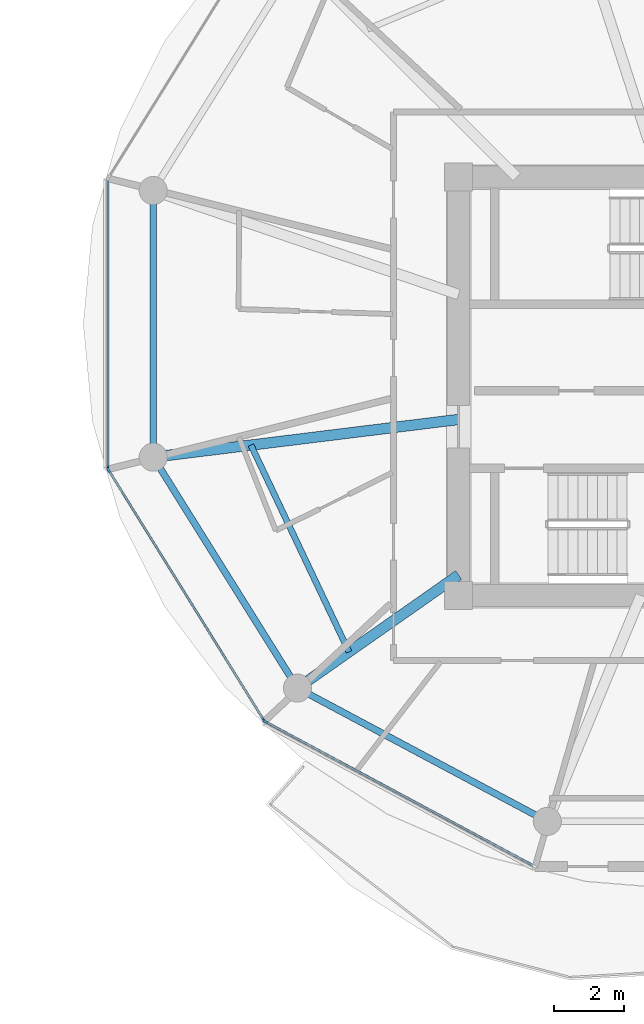
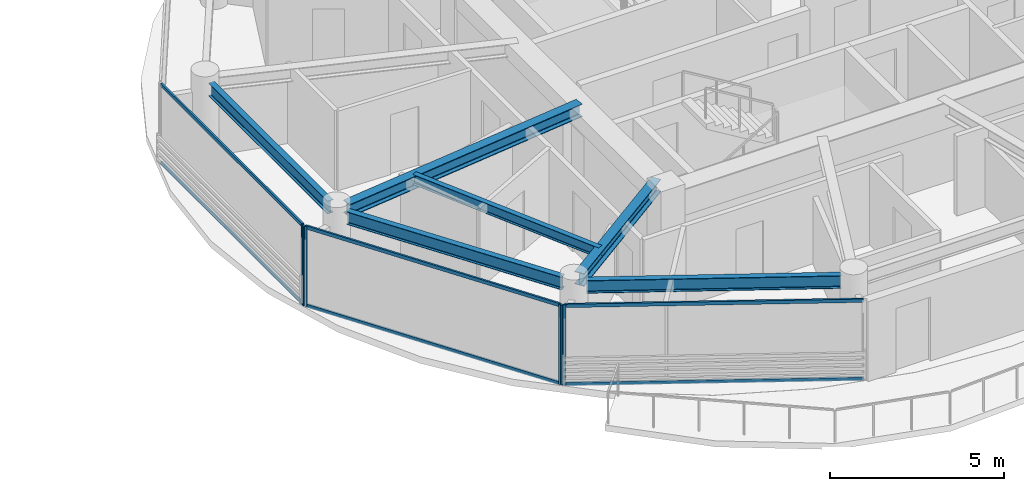
# One storey, part 6 of 22: 10 members, 6 beams, 3 elements without a shape of their own.
"""IFC4 building model written with IfcOpenShell, lengths in metres."""

import ifcopenshell
import ifcopenshell.guid

model = None  # the IFC model being written
_history = None  # IfcOwnerHistory: only IFC2X3 demands one
_inside = {}  # id of a spatial element -> (the spatial element, [elements in it])
_under = {}  # id of a project, library or spatial element -> (it, [spatial elements below it])
_declared = {}  # id of a project -> (the project, [libraries it declares])
_typed = {}  # id of a type object -> (the type object, [elements of that type])
_made_of = {}  # id of a material, layer set ... -> (it, [elements and type objects made of it])


def new_model(schema):
    """Start an empty IFC model of exactly this schema.

    Asked for "IFC4X3", IfcOpenShell would pick the latest addendum, in which some entities
    have other attributes; the version numbers below select the first issue.
    IFC2X3 requires an IfcOwnerHistory on every rooted entity: one is made here for all.
    """
    global model, _history
    if schema == "IFC4X3":
        model = ifcopenshell.file(schema_version=(4, 3, 0, 0))
    else:
        model = ifcopenshell.file(schema=schema)
    _inside.clear()
    _under.clear()
    _declared.clear()
    _typed.clear()
    _made_of.clear()
    _history = None
    if model.schema == "IFC2X3":
        org = make("IfcOrganization", Name="unknown")
        user = make(
            "IfcPersonAndOrganization",
            ThePerson=make("IfcPerson", FamilyName="unknown"),
            TheOrganization=org,
        )
        app = make(
            "IfcApplication",
            ApplicationDeveloper=org,
            Version="unknown",
            ApplicationFullName="unknown",
            ApplicationIdentifier="unknown",
        )
        _history = make(
            "IfcOwnerHistory",
            OwningUser=user,
            OwningApplication=app,
            ChangeAction="ADDED",
            CreationDate=0,
        )
    return model


def make(cls, **values):
    """One entity of the class cls with the attributes given. An attribute that is None is left unset."""
    return model.create_entity(
        cls, **{name: value for name, value in values.items() if value is not None}
    )


def rooted(cls, **values):
    """An entity with a GlobalId (a new one), such as an element, a storey or a relation."""
    return make(cls, GlobalId=ifcopenshell.guid.new(), OwnerHistory=_history, **values)


def si_unit(unit_type, name, prefix=None):
    """IfcSIUnit, for example si_unit("LENGTHUNIT", "METRE", prefix="MILLI")."""
    return make("IfcSIUnit", UnitType=unit_type, Prefix=prefix, Name=name)


def assignment(units):
    """IfcUnitAssignment: the units of a project."""
    return None if units is None else make("IfcUnitAssignment", Units=units)


def point(xyz):
    """IfcCartesianPoint."""
    return None if xyz is None else make("IfcCartesianPoint", Coordinates=xyz)


def direction(xyz):
    """IfcDirection."""
    return None if xyz is None else make("IfcDirection", DirectionRatios=xyz)


def frame(location, z_axis=None, x_axis=None):
    """IfcAxis2Placement3D, a coordinate frame: its origin and axes. An axis left out is left unset."""
    return make(
        "IfcAxis2Placement3D",
        Location=point(location),
        Axis=direction(z_axis),
        RefDirection=direction(x_axis),
    )


def frame_2d(location, x_axis=None):
    """IfcAxis2Placement2D, a coordinate frame in the plane: its origin and x axis."""
    return make(
        "IfcAxis2Placement2D", Location=point(location), RefDirection=direction(x_axis)
    )


def origin():
    """The frame at (0, 0, 0) with its axes left unset."""
    return frame((0.0, 0.0, 0.0))


def origin_2d():
    """The frame at (0, 0) in the plane with its x axis left unset."""
    return frame_2d((0.0, 0.0))


def place(relative_to, where):
    """IfcLocalPlacement: puts the frame where relative to a parent placement (None: the world)."""
    return make(
        "IfcLocalPlacement", PlacementRelTo=relative_to, RelativePlacement=where
    )


def context(
    kind, dimensions, precision=None, world=None, true_north=None, identifier=None
):
    """IfcGeometricRepresentationContext, for example the 3D "Model" context."""
    return make(
        "IfcGeometricRepresentationContext",
        ContextIdentifier=identifier,
        ContextType=kind,
        CoordinateSpaceDimension=dimensions,
        Precision=precision,
        WorldCoordinateSystem=world,
        TrueNorth=true_north,
    )


def subcontext(parent, identifier, kind, view, scale=None):
    """IfcGeometricRepresentationSubContext, for example "Body" below "Model"."""
    return make(
        "IfcGeometricRepresentationSubContext",
        ContextIdentifier=identifier,
        ContextType=kind,
        ParentContext=parent,
        TargetScale=scale,
        TargetView=view,
    )


def project(units=None, contexts=None):
    """IfcProject with its units and contexts."""
    return rooted(
        "IfcProject",
        Name="project",
        RepresentationContexts=contexts,
        UnitsInContext=assignment(units),
    )


def spatial(cls, under=None, at=None, **own):
    """A site, building, storey or space (cls), placed at a placement, below another one or the project."""
    s = rooted(cls, ObjectPlacement=at, **own)
    if under is not None:
        _under.setdefault(under.id(), (under, []))[1].append(s)
    return s


def profile(cls, at=None, kind="AREA", **sizes):
    """A parametric profile (cls). Its sizes go by their IFC names, for example OverallWidth=200.0."""
    return make(cls, ProfileType=kind, Position=at, **sizes)


def rectangle(**sizes):
    """IfcRectangleProfileDef."""
    return profile("IfcRectangleProfileDef", **sizes)


def i_section(**sizes):
    """IfcIShapeProfileDef."""
    return profile("IfcIShapeProfileDef", **sizes)


def extrude(swept, where, along, depth):
    """IfcExtrudedAreaSolid: the profile swept, set in the frame where, extruded along a direction by depth."""
    return make(
        "IfcExtrudedAreaSolid",
        SweptArea=swept,
        Position=where,
        ExtrudedDirection=direction(along),
        Depth=depth,
    )


def shape(context_of_items, identifier, shape_type, items):
    """IfcShapeRepresentation: the items that make up one representation, for example the "Body"."""
    return make(
        "IfcShapeRepresentation",
        ContextOfItems=context_of_items,
        RepresentationIdentifier=identifier,
        RepresentationType=shape_type,
        Items=items,
    )


def source(mapping_origin, context_of_items, identifier, shape_type, items):
    """IfcRepresentationMap: a shape defined once, which mapped items show again and again."""
    return make(
        "IfcRepresentationMap",
        MappingOrigin=mapping_origin,
        MappedRepresentation=shape(context_of_items, identifier, shape_type, items),
    )


def transform(
    local_origin,
    x_axis=None,
    y_axis=None,
    z_axis=None,
    scale=None,
    scale2=None,
    scale3=None,
    uniform=True,
):
    """IfcCartesianTransformationOperator3D, or its non-uniform kind. x_axis, y_axis, z_axis: its Axis1, 2, 3."""
    if uniform:
        return make(
            "IfcCartesianTransformationOperator3D",
            Axis1=direction(x_axis),
            Axis2=direction(y_axis),
            LocalOrigin=point(local_origin),
            Scale=scale,
            Axis3=direction(z_axis),
        )
    return make(
        "IfcCartesianTransformationOperator3DnonUniform",
        Axis1=direction(x_axis),
        Axis2=direction(y_axis),
        LocalOrigin=point(local_origin),
        Scale=scale,
        Axis3=direction(z_axis),
        Scale2=scale2,
        Scale3=scale3,
    )


def mapped(mapping_source, mapping_target):
    """IfcMappedItem: shows the shape of a source again, moved by a transform."""
    return make(
        "IfcMappedItem", MappingSource=mapping_source, MappingTarget=mapping_target
    )


def material(Name=None, Category=None):
    """IfcMaterial."""
    return make("IfcMaterial", Name=Name, Category=Category)


def layer(
    of_material, thickness, ventilated=None, Name=None, Category=None, Priority=None
):
    """IfcMaterialLayer: one layer of a wall or slab, of a material (None: an air gap)."""
    return make(
        "IfcMaterialLayer",
        Material=of_material,
        LayerThickness=thickness,
        IsVentilated=ventilated,
        Name=Name,
        Category=Category,
        Priority=Priority,
    )


def layer_set(layers, Name=None):
    """IfcMaterialLayerSet."""
    return make("IfcMaterialLayerSet", MaterialLayers=layers, LayerSetName=Name)


def material_profile(
    of_material, cross_section, Name=None, Category=None, Priority=None
):
    """IfcMaterialProfile: a cross section and its material."""
    return make(
        "IfcMaterialProfile",
        Name=Name,
        Material=of_material,
        Profile=cross_section,
        Priority=Priority,
        Category=Category,
    )


def profile_set(profiles, Name=None, composite=None):
    """IfcMaterialProfileSet."""
    return make(
        "IfcMaterialProfileSet",
        Name=Name,
        MaterialProfiles=profiles,
        CompositeProfile=composite,
    )


def made_of(thing, what):
    """Note that an element or type object is made of a material, layer set ...; save() writes the relation."""
    if what is not None:
        _made_of.setdefault(what.id(), (what, []))[1].append(thing)
    return thing


def type_object(cls, material=None, **own):
    """A type object (cls), such as IfcWallType, which elements share."""
    return made_of(rooted(cls, **own), material)


def type_shapes(of_type, sources):
    """Give a type object the sources (RepresentationMaps) that its elements show as mapped items."""
    of_type.RepresentationMaps = sources


def element(
    cls,
    number,
    at=None,
    inside=None,
    cuts=None,
    type_object=None,
    material=None,
    context=None,
    identifier="Body",
    shape_type=None,
    held_by="IfcProductDefinitionShape",
    body=None,
    shapes=None,
    **own,
):
    """One element of the class cls, such as IfcWall. Its Tag is "e" and its number.

    at: its placement. inside: the storey or other place that contains it. cuts: it is an
    opening in that element (IfcRelVoidsElement). A single representation is given by context,
    identifier, shape_type and body (its items); several are given by shapes. held_by: the class
    of the entity that holds the representations. save() writes the other relations.
    """
    e = rooted(cls, Tag="e%d" % number, ObjectPlacement=at, **own)
    if body is not None:
        shapes = [shape(context, identifier, shape_type, body)]
    if shapes is not None:
        e.Representation = make(held_by, Representations=shapes)
    if inside is not None:
        _inside.setdefault(inside.id(), (inside, []))[1].append(e)
    if cuts is not None:
        rooted(
            "IfcRelVoidsElement", RelatingBuildingElement=cuts, RelatedOpeningElement=e
        )
    if type_object is not None:
        _typed.setdefault(type_object.id(), (type_object, []))[1].append(e)
    return made_of(e, material)


def aggregate(whole, parts):
    """IfcRelAggregates: a whole, such as a stair, and the parts it consists of."""
    return rooted("IfcRelAggregates", RelatingObject=whole, RelatedObjects=parts)


def save(model, path):
    """Write the relations noted so far, then the file.

    IfcRelAggregates (storeys below a building ...), IfcRelContainedInSpatialStructure (elements
    in a storey), IfcRelDefinesByType, IfcRelAssociatesMaterial and IfcRelDeclares: one each for
    every whole, place, type object, material and project.
    """
    for whole, parts in _under.values():
        aggregate(whole, parts)
    for where, things in _inside.values():
        rooted(
            "IfcRelContainedInSpatialStructure",
            RelatedElements=things,
            RelatingStructure=where,
        )
    for kind, things in _typed.values():
        rooted("IfcRelDefinesByType", RelatedObjects=things, RelatingType=kind)
    for what, things in _made_of.values():
        rooted("IfcRelAssociatesMaterial", RelatedObjects=things, RelatingMaterial=what)
    for by, libraries in _declared.values():
        rooted("IfcRelDeclares", RelatingContext=by, RelatedDefinitions=libraries)
    model.write(path)


model = new_model("IFC4")

# Units and contexts
model_context = context("Model", 3, precision=1e-05, world=origin(), true_north=direction((0.0, 1.0)))
body_context = subcontext(model_context, "Body", "Model", "MODEL_VIEW")
ifc_project = project(units=[si_unit("LENGTHUNIT", "METRE"), si_unit("AREAUNIT", "SQUARE_METRE"), si_unit("VOLUMEUNIT", "CUBIC_METRE"), si_unit("PLANEANGLEUNIT", "RADIAN"), si_unit("MASSUNIT", "GRAM", prefix="KILO")], contexts=[model_context])

# Site, building, storey
site_placement = place(None, origin())
site = spatial("IfcSite", under=ifc_project, at=site_placement, CompositionType="ELEMENT")
building_placement = place(site_placement, origin())
building = spatial("IfcBuilding", under=site, at=building_placement, Name="Norrkilde Senior Care Towers", CompositionType="ELEMENT")
storey_placement = place(building_placement, frame((0.0, 0.0, 152.60009765625)))
storey = spatial("IfcBuildingStorey", under=building, at=storey_placement, Name="L47", CompositionType="ELEMENT", Elevation=152.60009765625)

# Beams
ifc_material_1 = material(Name="Steel S355", Category="steel")
ifc_material_profile_1 = material_profile(ifc_material_1, i_section(OverallWidth=0.18994140625, OverallDepth=0.449951171875, WebThickness=0.009521484375, FlangeThickness=0.0146484375, FilletRadius=0.02099609375, at=origin_2d()), Name="IPE 450")
ifc_profile_set_1 = profile_set([ifc_material_profile_1], Name="Steel S355")
beam_type_1 = type_object("IfcBeamType", Name="Perimeter Ring Spandrel Z3 IPE450", PredefinedType="SPANDREL", material=ifc_profile_set_1)
shared_shape_1 = source(origin(), body_context, "Body", "SweptSolid", [
    extrude(i_section(OverallWidth=0.18994140625, OverallDepth=0.449951171875, WebThickness=0.009521484375, FlangeThickness=0.0146484375, FilletRadius=0.02099609375, at=origin_2d()), origin(), (0.0, 0.0, 1.0), 6.86328125),
])
beam_1_placement = place(storey_placement, frame((11.6650390625, 5.20703125, 2.5849609375), z_axis=(0.0, -1.0, 0.0), x_axis=(1.0, 0.0, 0.0)))
element("IfcBeam", 1, at=beam_1_placement, inside=storey, type_object=beam_type_1, Name="L47 Drum E Perimeter Spandrel 06", PredefinedType="SPANDREL", context=body_context, shape_type="MappedRepresentation", body=[
    mapped(shared_shape_1, transform((0.0, 0.0, 0.0), x_axis=(1.0, 0.0, 0.0), y_axis=(0.0, 1.0, 0.0), z_axis=(0.0, 0.0, 1.0), scale=1.0)),
])
shared_shape_2 = source(origin(), body_context, "Body", "SweptSolid", [
    extrude(i_section(OverallWidth=0.18994140625, OverallDepth=0.449951171875, WebThickness=0.009521484375, FlangeThickness=0.0146484375, FilletRadius=0.02099609375, at=origin_2d()), origin(), (0.0, 0.0, 1.0), 7.023193359375),
])
beam_2_placement = place(storey_placement, frame((11.855712890625, -2.32177734375, 2.5849609375), z_axis=(0.529805197269, -0.848119362441, 0.0), x_axis=(0.848119362441, 0.529805197269, 0.0)))
element("IfcBeam", 2, at=beam_2_placement, inside=storey, type_object=beam_type_1, Name="L47 Drum E Perimeter Spandrel 07", PredefinedType="SPANDREL", context=body_context, shape_type="MappedRepresentation", body=[
    mapped(shared_shape_2, transform((0.0, 0.0, 0.0), x_axis=(1.0, 0.0, 0.0), y_axis=(0.0, 1.0, 0.0), z_axis=(0.0, 0.0, 1.0), scale=1.0)),
])
shared_shape_3 = source(origin(), body_context, "Body", "SweptSolid", [
    extrude(i_section(OverallWidth=0.18994140625, OverallDepth=0.449951171875, WebThickness=0.009521484375, FlangeThickness=0.0146484375, FilletRadius=0.02099609375, at=origin_2d()), origin(), (0.0, 0.0, 1.0), 7.333984375),
])
type_shapes(beam_type_1, [shared_shape_1, shared_shape_2, shared_shape_3])
beam_3_placement = place(storey_placement, frame((16.0849609375, -8.753173828125, 2.5849609375), z_axis=(0.882234038987, -0.470811109101, 0.0), x_axis=(0.470811109101, 0.882234038987, 0.0)))
element("IfcBeam", 3, at=beam_3_placement, inside=storey, type_object=beam_type_1, Name="L47 Drum E Perimeter Spandrel 08", PredefinedType="SPANDREL", context=body_context, shape_type="MappedRepresentation", body=[
    mapped(shared_shape_3, transform((0.0, 0.0, 0.0), x_axis=(1.0, 0.0, 0.0), y_axis=(0.0, 1.0, 0.0), z_axis=(0.0, 0.0, 1.0), scale=1.0)),
])
ifc_material_profile_2 = material_profile(ifc_material_1, i_section(OverallWidth=0.300048828125, OverallDepth=0.449951171875, WebThickness=0.013916015625, FlangeThickness=0.02587890625, FilletRadius=0.027099609375, at=origin_2d()), Name="HEB 450")
ifc_profile_set_2 = profile_set([ifc_material_profile_2], Name="Steel S355")
beam_type_2 = type_object("IfcBeamType", Name="Radial Floor Beam Z3 HEB450", PredefinedType="BEAM", material=ifc_profile_set_2)
shared_shape_4 = source(origin(), body_context, "Body", "SweptSolid", [
    extrude(i_section(OverallWidth=0.300048828125, OverallDepth=0.449951171875, WebThickness=0.013916015625, FlangeThickness=0.02587890625, FilletRadius=0.027099609375, at=origin_2d()), origin(), (0.0, 0.0, 1.0), 5.23828125),
])
beam_4_placement = place(storey_placement, frame((20.35009765625, -5.3681640625, 2.5849609375), z_axis=(-0.818592061291, -0.574375345215, 0.0), x_axis=(0.574375345215, -0.818592061291, 0.0)))
element("IfcBeam", 4, at=beam_4_placement, inside=storey, type_object=beam_type_2, Name="L47 Drum E Radial Floor Beam 08", PredefinedType="BEAM", context=body_context, shape_type="MappedRepresentation", body=[
    mapped(shared_shape_4, transform((0.0, 0.0, 0.0), x_axis=(1.0, 0.0, 0.0), y_axis=(0.0, 1.0, 0.0), z_axis=(0.0, 0.0, 1.0), scale=1.0)),
])
shared_shape_5 = source(origin(), body_context, "Body", "SweptSolid", [
    extrude(i_section(OverallWidth=0.300048828125, OverallDepth=0.449951171875, WebThickness=0.013916015625, FlangeThickness=0.02587890625, FilletRadius=0.027099609375, at=origin_2d()), origin(), (0.0, 0.0, 1.0), 8.390869140625),
])
type_shapes(beam_type_2, [shared_shape_4, shared_shape_5])
beam_5_placement = place(storey_placement, frame((20.35009765625, -0.9443359375, 2.5849609375), z_axis=(-0.99246916403, -0.122494728249, 0.0), x_axis=(0.122494728249, -0.99246916403, 0.0)))
element("IfcBeam", 5, at=beam_5_placement, inside=storey, type_object=beam_type_2, Name="L47 Drum E Radial Floor Beam 07", PredefinedType="BEAM", context=body_context, shape_type="MappedRepresentation", body=[
    mapped(shared_shape_5, transform((0.0, 0.0, 0.0), x_axis=(1.0, 0.0, 0.0), y_axis=(0.0, 1.0, 0.0), z_axis=(0.0, 0.0, 1.0), scale=1.0)),
])
ifc_material_profile_3 = material_profile(ifc_material_1, i_section(OverallWidth=0.169921875, OverallDepth=0.360107421875, WebThickness=0.008056640625, FlangeThickness=0.0126953125, FilletRadius=0.01806640625, at=origin_2d()), Name="IPE 360")
ifc_profile_set_3 = profile_set([ifc_material_profile_3], Name="Steel S355")
beam_type_3 = type_object("IfcBeamType", Name="Secondary Floor Joist IPE360", PredefinedType="JOIST", material=ifc_profile_set_3)
shared_shape_6 = source(origin(), body_context, "Body", "SweptSolid", [
    extrude(i_section(OverallWidth=0.169921875, OverallDepth=0.360107421875, WebThickness=0.008056640625, FlangeThickness=0.0126953125, FilletRadius=0.01806640625, at=origin_2d()), origin(), (0.0, 0.0, 1.0), 6.50927734375),
])
type_shapes(beam_type_3, [shared_shape_6])
beam_6_placement = place(storey_placement, frame((14.4443359375, -1.67333984375, 2.6298828125), z_axis=(0.428544169129, -0.90352083269, 0.0), x_axis=(0.90352083269, 0.428544169129, 0.0)))
element("IfcBeam", 6, at=beam_6_placement, inside=storey, type_object=beam_type_3, Name="L47 Drum E Secondary Floor Joist 3", PredefinedType="JOIST", context=body_context, shape_type="MappedRepresentation", body=[
    mapped(shared_shape_6, transform((0.0, 0.0, 0.0), x_axis=(1.0, 0.0, 0.0), y_axis=(0.0, 1.0, 0.0), z_axis=(0.0, 0.0, 1.0), scale=1.0)),
])

# Curtain wall, members
ifc_material_2 = material(Name="Triple Low-E Insulated Glazing", Category="glass")
ifc_layer = layer(ifc_material_2, 0.18994140625)
ifc_layer_set = layer_set([ifc_layer], Name="Triple Low-E Insulated Glazing")
curtain_wall_type = type_object("IfcCurtainWallType", Name="CW4 Zone 3 Senior Residence Curtain Wall", PredefinedType="NOTDEFINED", material=ifc_layer_set)
curtain_wall_1_placement = place(storey_placement, origin())
curtain_wall_1 = element("IfcCurtainWall", 7, at=curtain_wall_1_placement, inside=storey, type_object=curtain_wall_type, Name="L47 Drum E Curtain Wall 06", PredefinedType="NOTDEFINED")
ifc_material_3 = material(Name="Anodised Aluminium", Category="aluminium")
ifc_material_profile_4 = material_profile(ifc_material_3, rectangle(XDim=0.06005859375, YDim=0.1201171875, at=origin_2d()), Name="ALU TRAN 60x120")
ifc_profile_set_4 = profile_set([ifc_material_profile_4], Name="Anodised Aluminium")
member_type_1 = type_object("IfcMemberType", Name="Curtain Wall Transom Typical 60x120", PredefinedType="USERDEFINED", material=ifc_profile_set_4)
shared_shape_7 = source(origin(), body_context, "Body", "SweptSolid", [
    extrude(rectangle(XDim=0.06005859375, YDim=0.1201171875, at=origin_2d()), origin(), (0.0, 0.0, 1.0), 8.301513671875),
])
member_1_placement = place(storey_placement, frame((14.792724609375, -9.468994140625, 0.02978515625), z_axis=(-0.527368718394, 0.849636531029, 0.0), x_axis=(-0.849636531029, -0.527368718394, 0.0)))
member_1 = element("IfcMember", 8, at=member_1_placement, type_object=member_type_1, Name="CW-4 transom 1.1", ObjectType="TRANSOM", PredefinedType="USERDEFINED", context=body_context, shape_type="MappedRepresentation", body=[
    mapped(shared_shape_7, transform((0.0, 0.0, 0.0), x_axis=(1.0, 0.0, 0.0), y_axis=(0.0, 1.0, 0.0), z_axis=(0.0, 0.0, 1.0), scale=1.0)),
])
member_2_placement = place(storey_placement, frame((14.792724609375, -9.468994140625, 2.77978515625), z_axis=(-0.527368718394, 0.849636531029, 0.0), x_axis=(-0.849636531029, -0.527368718394, 0.0)))
member_2 = element("IfcMember", 9, at=member_2_placement, type_object=member_type_1, Name="CW-4 transom 1.2", ObjectType="TRANSOM", PredefinedType="USERDEFINED", context=body_context, shape_type="MappedRepresentation", body=[
    mapped(shared_shape_7, transform((0.0, 0.0, 0.0), x_axis=(1.0, 0.0, 0.0), y_axis=(0.0, 1.0, 0.0), z_axis=(0.0, 0.0, 1.0), scale=1.0)),
])

curtain_wall_2_placement = place(storey_placement, origin())
curtain_wall_2 = element("IfcCurtainWall", 10, at=curtain_wall_2_placement, inside=storey, type_object=curtain_wall_type, Name="L47 Drum E Curtain Wall 07", PredefinedType="NOTDEFINED")
shared_shape_8 = source(origin(), body_context, "Body", "SweptSolid", [
    extrude(rectangle(XDim=0.06005859375, YDim=0.1201171875, at=origin_2d()), origin(), (0.0, 0.0, 1.0), 8.61181640625),
])
member_3_placement = place(storey_placement, frame((22.47119140625, -13.62939453125, 0.02978515625), z_axis=(-0.880993991641, 0.473127452906, 0.0), x_axis=(-0.473127452906, -0.880993991641, 0.0)))
member_3 = element("IfcMember", 11, at=member_3_placement, type_object=member_type_1, Name="CW-4 transom 1.1", ObjectType="TRANSOM", PredefinedType="USERDEFINED", context=body_context, shape_type="MappedRepresentation", body=[
    mapped(shared_shape_8, transform((0.0, 0.0, 0.0), x_axis=(1.0, 0.0, 0.0), y_axis=(0.0, 1.0, 0.0), z_axis=(0.0, 0.0, 1.0), scale=1.0)),
])
member_4_placement = place(storey_placement, frame((22.47119140625, -13.62939453125, 2.77978515625), z_axis=(-0.880993991641, 0.473127452906, 0.0), x_axis=(-0.473127452906, -0.880993991641, 0.0)))
member_4 = element("IfcMember", 12, at=member_4_placement, type_object=member_type_1, Name="CW-4 transom 1.2", ObjectType="TRANSOM", PredefinedType="USERDEFINED", context=body_context, shape_type="MappedRepresentation", body=[
    mapped(shared_shape_8, transform((0.0, 0.0, 0.0), x_axis=(1.0, 0.0, 0.0), y_axis=(0.0, 1.0, 0.0), z_axis=(0.0, 0.0, 1.0), scale=1.0)),
])

curtain_wall_3_placement = place(storey_placement, origin())
curtain_wall_3 = element("IfcCurtainWall", 13, at=curtain_wall_3_placement, inside=storey, type_object=curtain_wall_type, Name="L47 Drum E Curtain Wall 05", PredefinedType="NOTDEFINED")
shared_shape_9 = source(origin(), body_context, "Body", "SweptSolid", [
    extrude(rectangle(XDim=0.06005859375, YDim=0.1201171875, at=origin_2d()), origin(), (0.0, 0.0, 1.0), 8.141845703125),
])
type_shapes(member_type_1, [shared_shape_7, shared_shape_8, shared_shape_9])
member_5_placement = place(storey_placement, frame((10.38037109375, -2.295654296875, 0.02978515625), z_axis=(0.0, 1.0, 0.0), x_axis=(-1.0, 0.0, 0.0)))
member_5 = element("IfcMember", 14, at=member_5_placement, type_object=member_type_1, Name="CW-4 transom 1.1", ObjectType="TRANSOM", PredefinedType="USERDEFINED", context=body_context, shape_type="MappedRepresentation", body=[
    mapped(shared_shape_9, transform((0.0, 0.0, 0.0), x_axis=(1.0, 0.0, 0.0), y_axis=(0.0, 1.0, 0.0), z_axis=(0.0, 0.0, 1.0), scale=1.0)),
])
member_6_placement = place(storey_placement, frame((10.38037109375, -2.295654296875, 2.77978515625), z_axis=(0.0, 1.0, 0.0), x_axis=(-1.0, 0.0, 0.0)))
member_6 = element("IfcMember", 15, at=member_6_placement, type_object=member_type_1, Name="CW-4 transom 1.2", ObjectType="TRANSOM", PredefinedType="USERDEFINED", context=body_context, shape_type="MappedRepresentation", body=[
    mapped(shared_shape_9, transform((0.0, 0.0, 0.0), x_axis=(1.0, 0.0, 0.0), y_axis=(0.0, 1.0, 0.0), z_axis=(0.0, 0.0, 1.0), scale=1.0)),
])
ifc_material_profile_5 = material_profile(ifc_material_3, rectangle(XDim=0.06494140625, YDim=0.14990234375, at=origin_2d()), Name="ALU MULL 65x150")
ifc_profile_set_5 = profile_set([ifc_material_profile_5], Name="Anodised Aluminium")
member_type_2 = type_object("IfcMemberType", Name="Curtain Wall Mullion Z3-Z4 65x150", PredefinedType="MULLION", material=ifc_profile_set_5)
shared_shape_10 = source(origin(), body_context, "Body", "SweptSolid", [
    extrude(rectangle(XDim=0.06494140625, YDim=0.14990234375, at=origin_2d()), origin(), (0.0, 0.0, 1.0), 2.809814453125),
])
type_shapes(member_type_2, [shared_shape_10])
member_7_placement = place(storey_placement, frame((10.38037109375, -2.328125, 0.0), z_axis=(0.0, 0.0, 1.0), x_axis=(-1.0, 0.0, 0.0)))
member_7 = element("IfcMember", 16, at=member_7_placement, type_object=member_type_2, Name="CW-4 mullion 1", PredefinedType="MULLION", context=body_context, shape_type="MappedRepresentation", body=[
    mapped(shared_shape_10, transform((0.0, 0.0, 0.0), x_axis=(1.0, 0.0, 0.0), y_axis=(0.0, 1.0, 0.0), z_axis=(0.0, 0.0, 1.0), scale=1.0)),
])
aggregate(curtain_wall_3, [member_7, member_5, member_6])

# Member
member_8_placement = place(storey_placement, frame((14.809814453125, -9.49658203125, 0.0), z_axis=(0.0, 0.0, 1.0), x_axis=(-0.84963405474, -0.52737270789, 0.0)))
member_8 = element("IfcMember", 17, at=member_8_placement, type_object=member_type_2, Name="CW-4 mullion 1", PredefinedType="MULLION", context=body_context, shape_type="MappedRepresentation", body=[
    mapped(shared_shape_10, transform((0.0, 0.0, 0.0), x_axis=(1.0, 0.0, 0.0), y_axis=(0.0, 1.0, 0.0), z_axis=(0.0, 0.0, 1.0), scale=1.0)),
])

member_9_placement = place(storey_placement, frame((10.3974609375, -2.38818359375, 0.0), z_axis=(0.0, 0.0, 1.0), x_axis=(-0.84963405474, -0.52737270789, 0.0)))
member_9 = element("IfcMember", 18, at=member_9_placement, type_object=member_type_2, Name="CW-4 mullion 2", PredefinedType="MULLION", context=body_context, shape_type="MappedRepresentation", body=[
    mapped(shared_shape_10, transform((0.0, 0.0, 0.0), x_axis=(1.0, 0.0, 0.0), y_axis=(0.0, 1.0, 0.0), z_axis=(0.0, 0.0, 1.0), scale=1.0)),
])

aggregate(curtain_wall_1, [member_8, member_9, member_1, member_2])

member_10_placement = place(storey_placement, frame((14.85546875, -9.53955078125, 0.0), z_axis=(0.0, 0.0, 1.0), x_axis=(-0.47311715104, -0.880999524059, 0.0)))
member_10 = element("IfcMember", 19, at=member_10_placement, type_object=member_type_2, Name="CW-4 mullion 2", PredefinedType="MULLION", context=body_context, shape_type="MappedRepresentation", body=[
    mapped(shared_shape_10, transform((0.0, 0.0, 0.0), x_axis=(1.0, 0.0, 0.0), y_axis=(0.0, 1.0, 0.0), z_axis=(0.0, 0.0, 1.0), scale=1.0)),
])

aggregate(curtain_wall_2, [member_10, member_3, member_4])

save(model, "model.ifc")
